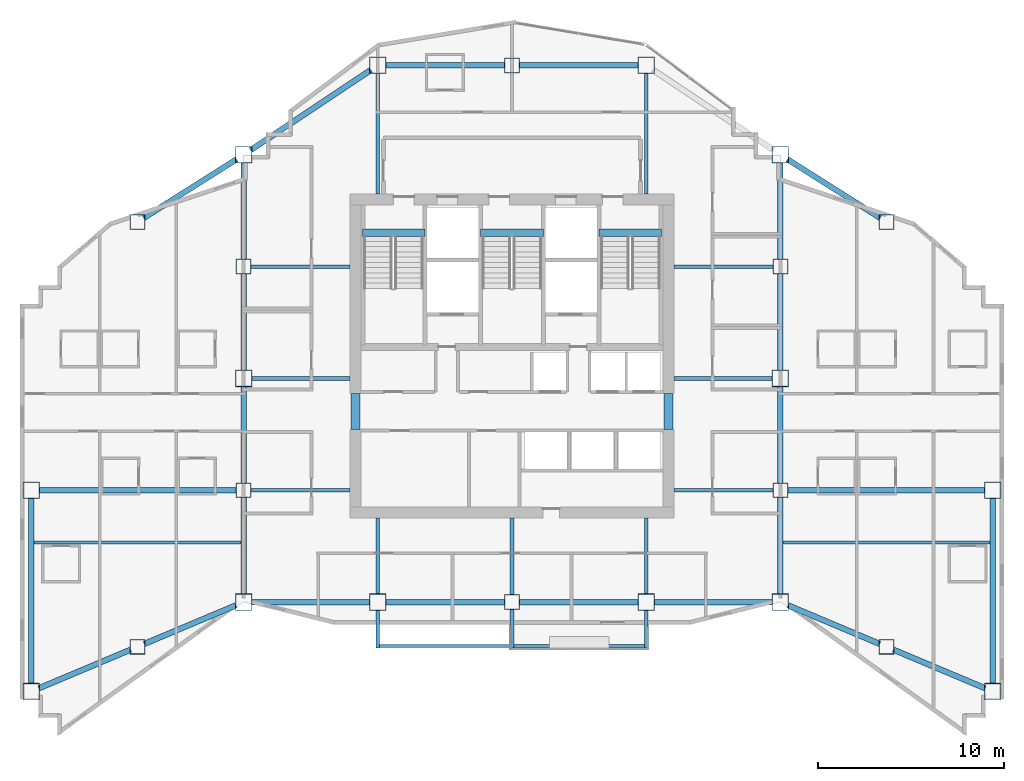
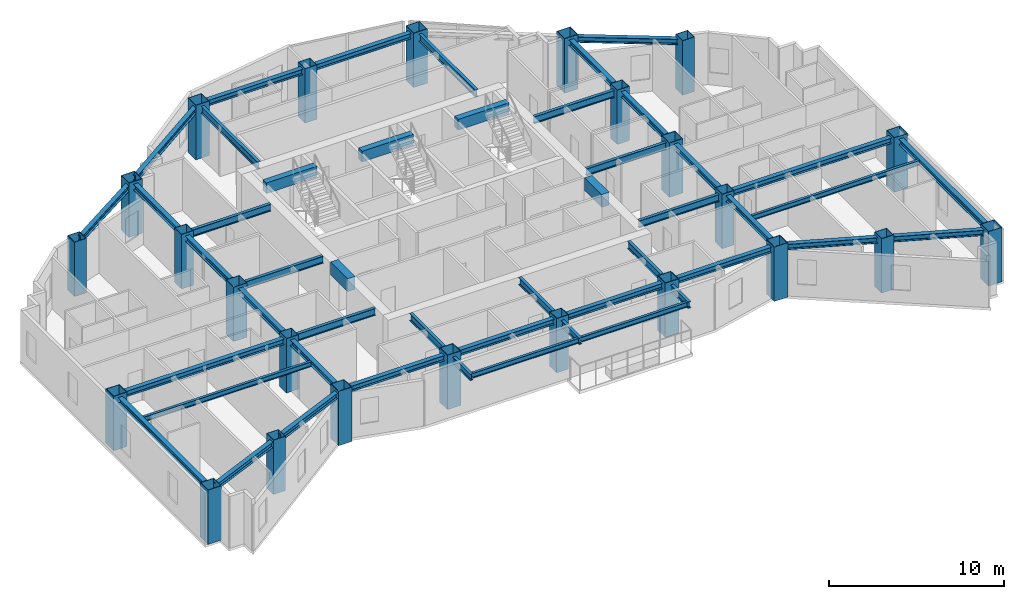
# One storey, part 1 of 11: 48 beams, 24 columns.
"""IFC4 building model written with IfcOpenShell, lengths in metres."""

import ifcopenshell
import ifcopenshell.guid

model = None  # the IFC model being written
_history = None  # IfcOwnerHistory: only IFC2X3 demands one
_inside = {}  # id of a spatial element -> (the spatial element, [elements in it])
_under = {}  # id of a project, library or spatial element -> (it, [spatial elements below it])
_declared = {}  # id of a project -> (the project, [libraries it declares])
_typed = {}  # id of a type object -> (the type object, [elements of that type])
_made_of = {}  # id of a material, layer set ... -> (it, [elements and type objects made of it])


def new_model(schema):
    """Start an empty IFC model of exactly this schema.

    Asked for "IFC4X3", IfcOpenShell would pick the latest addendum, in which some entities
    have other attributes; the version numbers below select the first issue.
    IFC2X3 requires an IfcOwnerHistory on every rooted entity: one is made here for all.
    """
    global model, _history
    if schema == "IFC4X3":
        model = ifcopenshell.file(schema_version=(4, 3, 0, 0))
    else:
        model = ifcopenshell.file(schema=schema)
    _inside.clear()
    _under.clear()
    _declared.clear()
    _typed.clear()
    _made_of.clear()
    _history = None
    if model.schema == "IFC2X3":
        org = make("IfcOrganization", Name="unknown")
        user = make(
            "IfcPersonAndOrganization",
            ThePerson=make("IfcPerson", FamilyName="unknown"),
            TheOrganization=org,
        )
        app = make(
            "IfcApplication",
            ApplicationDeveloper=org,
            Version="unknown",
            ApplicationFullName="unknown",
            ApplicationIdentifier="unknown",
        )
        _history = make(
            "IfcOwnerHistory",
            OwningUser=user,
            OwningApplication=app,
            ChangeAction="ADDED",
            CreationDate=0,
        )
    return model


def make(cls, **values):
    """One entity of the class cls with the attributes given. An attribute that is None is left unset."""
    return model.create_entity(
        cls, **{name: value for name, value in values.items() if value is not None}
    )


def rooted(cls, **values):
    """An entity with a GlobalId (a new one), such as an element, a storey or a relation."""
    return make(cls, GlobalId=ifcopenshell.guid.new(), OwnerHistory=_history, **values)


def si_unit(unit_type, name, prefix=None):
    """IfcSIUnit, for example si_unit("LENGTHUNIT", "METRE", prefix="MILLI")."""
    return make("IfcSIUnit", UnitType=unit_type, Prefix=prefix, Name=name)


def assignment(units):
    """IfcUnitAssignment: the units of a project."""
    return None if units is None else make("IfcUnitAssignment", Units=units)


def point(xyz):
    """IfcCartesianPoint."""
    return None if xyz is None else make("IfcCartesianPoint", Coordinates=xyz)


def direction(xyz):
    """IfcDirection."""
    return None if xyz is None else make("IfcDirection", DirectionRatios=xyz)


def frame(location, z_axis=None, x_axis=None):
    """IfcAxis2Placement3D, a coordinate frame: its origin and axes. An axis left out is left unset."""
    return make(
        "IfcAxis2Placement3D",
        Location=point(location),
        Axis=direction(z_axis),
        RefDirection=direction(x_axis),
    )


def frame_2d(location, x_axis=None):
    """IfcAxis2Placement2D, a coordinate frame in the plane: its origin and x axis."""
    return make(
        "IfcAxis2Placement2D", Location=point(location), RefDirection=direction(x_axis)
    )


def origin():
    """The frame at (0, 0, 0) with its axes left unset."""
    return frame((0.0, 0.0, 0.0))


def origin_2d():
    """The frame at (0, 0) in the plane with its x axis left unset."""
    return frame_2d((0.0, 0.0))


def place(relative_to, where):
    """IfcLocalPlacement: puts the frame where relative to a parent placement (None: the world)."""
    return make(
        "IfcLocalPlacement", PlacementRelTo=relative_to, RelativePlacement=where
    )


def context(
    kind, dimensions, precision=None, world=None, true_north=None, identifier=None
):
    """IfcGeometricRepresentationContext, for example the 3D "Model" context."""
    return make(
        "IfcGeometricRepresentationContext",
        ContextIdentifier=identifier,
        ContextType=kind,
        CoordinateSpaceDimension=dimensions,
        Precision=precision,
        WorldCoordinateSystem=world,
        TrueNorth=true_north,
    )


def subcontext(parent, identifier, kind, view, scale=None):
    """IfcGeometricRepresentationSubContext, for example "Body" below "Model"."""
    return make(
        "IfcGeometricRepresentationSubContext",
        ContextIdentifier=identifier,
        ContextType=kind,
        ParentContext=parent,
        TargetScale=scale,
        TargetView=view,
    )


def project(units=None, contexts=None):
    """IfcProject with its units and contexts."""
    return rooted(
        "IfcProject",
        Name="project",
        RepresentationContexts=contexts,
        UnitsInContext=assignment(units),
    )


def spatial(cls, under=None, at=None, **own):
    """A site, building, storey or space (cls), placed at a placement, below another one or the project."""
    s = rooted(cls, ObjectPlacement=at, **own)
    if under is not None:
        _under.setdefault(under.id(), (under, []))[1].append(s)
    return s


def profile(cls, at=None, kind="AREA", **sizes):
    """A parametric profile (cls). Its sizes go by their IFC names, for example OverallWidth=200.0."""
    return make(cls, ProfileType=kind, Position=at, **sizes)


def rectangle(**sizes):
    """IfcRectangleProfileDef."""
    return profile("IfcRectangleProfileDef", **sizes)


def hollow_rectangle(**sizes):
    """IfcRectangleHollowProfileDef."""
    return profile("IfcRectangleHollowProfileDef", **sizes)


def i_section(**sizes):
    """IfcIShapeProfileDef."""
    return profile("IfcIShapeProfileDef", **sizes)


def extrude(swept, where, along, depth):
    """IfcExtrudedAreaSolid: the profile swept, set in the frame where, extruded along a direction by depth."""
    return make(
        "IfcExtrudedAreaSolid",
        SweptArea=swept,
        Position=where,
        ExtrudedDirection=direction(along),
        Depth=depth,
    )


def shape(context_of_items, identifier, shape_type, items):
    """IfcShapeRepresentation: the items that make up one representation, for example the "Body"."""
    return make(
        "IfcShapeRepresentation",
        ContextOfItems=context_of_items,
        RepresentationIdentifier=identifier,
        RepresentationType=shape_type,
        Items=items,
    )


def material(Name=None, Category=None):
    """IfcMaterial."""
    return make("IfcMaterial", Name=Name, Category=Category)


def material_profile(
    of_material, cross_section, Name=None, Category=None, Priority=None
):
    """IfcMaterialProfile: a cross section and its material."""
    return make(
        "IfcMaterialProfile",
        Name=Name,
        Material=of_material,
        Profile=cross_section,
        Priority=Priority,
        Category=Category,
    )


def profile_set(profiles, Name=None, composite=None):
    """IfcMaterialProfileSet."""
    return make(
        "IfcMaterialProfileSet",
        Name=Name,
        MaterialProfiles=profiles,
        CompositeProfile=composite,
    )


def made_of(thing, what):
    """Note that an element or type object is made of a material, layer set ...; save() writes the relation."""
    if what is not None:
        _made_of.setdefault(what.id(), (what, []))[1].append(thing)
    return thing


def type_object(cls, material=None, **own):
    """A type object (cls), such as IfcWallType, which elements share."""
    return made_of(rooted(cls, **own), material)


def element(
    cls,
    number,
    at=None,
    inside=None,
    cuts=None,
    type_object=None,
    material=None,
    context=None,
    identifier="Body",
    shape_type=None,
    held_by="IfcProductDefinitionShape",
    body=None,
    shapes=None,
    **own,
):
    """One element of the class cls, such as IfcWall. Its Tag is "e" and its number.

    at: its placement. inside: the storey or other place that contains it. cuts: it is an
    opening in that element (IfcRelVoidsElement). A single representation is given by context,
    identifier, shape_type and body (its items); several are given by shapes. held_by: the class
    of the entity that holds the representations. save() writes the other relations.
    """
    e = rooted(cls, Tag="e%d" % number, ObjectPlacement=at, **own)
    if body is not None:
        shapes = [shape(context, identifier, shape_type, body)]
    if shapes is not None:
        e.Representation = make(held_by, Representations=shapes)
    if inside is not None:
        _inside.setdefault(inside.id(), (inside, []))[1].append(e)
    if cuts is not None:
        rooted(
            "IfcRelVoidsElement", RelatingBuildingElement=cuts, RelatedOpeningElement=e
        )
    if type_object is not None:
        _typed.setdefault(type_object.id(), (type_object, []))[1].append(e)
    return made_of(e, material)


def aggregate(whole, parts):
    """IfcRelAggregates: a whole, such as a stair, and the parts it consists of."""
    return rooted("IfcRelAggregates", RelatingObject=whole, RelatedObjects=parts)


def save(model, path):
    """Write the relations noted so far, then the file.

    IfcRelAggregates (storeys below a building ...), IfcRelContainedInSpatialStructure (elements
    in a storey), IfcRelDefinesByType, IfcRelAssociatesMaterial and IfcRelDeclares: one each for
    every whole, place, type object, material and project.
    """
    for whole, parts in _under.values():
        aggregate(whole, parts)
    for where, things in _inside.values():
        rooted(
            "IfcRelContainedInSpatialStructure",
            RelatedElements=things,
            RelatingStructure=where,
        )
    for kind, things in _typed.values():
        rooted("IfcRelDefinesByType", RelatedObjects=things, RelatingType=kind)
    for what, things in _made_of.values():
        rooted("IfcRelAssociatesMaterial", RelatedObjects=things, RelatingMaterial=what)
    for by, libraries in _declared.values():
        rooted("IfcRelDeclares", RelatingContext=by, RelatedDefinitions=libraries)
    model.write(path)


model = new_model("IFC4")

# Units and contexts
model_context = context("Model", 3, precision=1e-05, world=origin(), true_north=direction((0.0, 1.0)))
body_context = subcontext(model_context, "Body", "Model", "MODEL_VIEW")
ifc_project = project(units=[si_unit("LENGTHUNIT", "METRE"), si_unit("AREAUNIT", "SQUARE_METRE"), si_unit("VOLUMEUNIT", "CUBIC_METRE"), si_unit("PLANEANGLEUNIT", "RADIAN"), si_unit("MASSUNIT", "GRAM", prefix="KILO")], contexts=[model_context])

# Site, building, storey
site_placement = place(None, origin())
site = spatial("IfcSite", under=ifc_project, at=site_placement, CompositionType="ELEMENT")
building_placement = place(site_placement, origin())
building = spatial("IfcBuilding", under=site, at=building_placement, Name="Haolan Belvedere Tower", CompositionType="ELEMENT")
storey_placement = place(building_placement, frame((0.0, 0.0, 223.0)))
storey = spatial("IfcBuildingStorey", under=building, at=storey_placement, Name="L56", CompositionType="ELEMENT", Elevation=223.0)

# Columns
ifc_material_1 = material(Name="Steel Q390GJC", Category="steel")
ifc_material_profile_1 = material_profile(ifc_material_1, hollow_rectangle(XDim=0.800048828125, YDim=0.800048828125, WallThickness=0.030029296875, at=origin_2d()), Name="Steel Q390GJC")
ifc_profile_set_1 = profile_set([ifc_material_profile_1], Name="Steel Q390GJC")
column_type_1 = type_object("IfcColumnType", Name="COL-BOX800x800x30", PredefinedType="COLUMN", material=ifc_profile_set_1)
for number, where, z_axis, x_axis, name in (
    (1, (24.0, 27.60009765625, 0.0), (0.0, 0.0, 1.0), (1.0, 0.0, 0.0), "L56 column TC-T3-W1 (BOX800x800x30)"),
    (2, (24.0, 39.60009765625, 0.0), (0.0, 0.0, 1.0), (1.0, 0.0, 0.0), "L56 column TC-T3-W2 (BOX800x800x30)"),
    (3, (52.800048828125, 27.60009765625, 0.0), (0.0, 0.0, 1.0), (1.0, 0.0, 0.0), "L56 column TC-T3-E1 (BOX800x800x30)"),
    (4, (52.800048828125, 39.60009765625, 0.0), (0.0, 0.0, 1.0), (1.0, 0.0, 0.0), "L56 column TC-T3-E2 (BOX800x800x30)"),
    (5, (38.39990234375, 21.60009765625, 0.0), (0.0, 0.0, 1.0), (1.0, 0.0, 0.0), "L56 column TC-T3-SM (BOX800x800x30)"),
    (6, (38.39990234375, 50.39990234375, 0.0), (0.0, 0.0, 1.0), (1.0, 0.0, 0.0), "L56 column TC-T3-NM (BOX800x800x30)"),
    (7, (18.300048828125, 19.199951171875, 0.0), (0.0, 0.0, 1.0), (1.0, 0.0, 0.0), "L56 column TC-T2-S1 (BOX800x800x30)"),
    (8, (18.300048828125, 42.0, 0.0), (0.0, 0.0, 1.0), (1.0, 0.0, 0.0), "L56 column TC-T2-N1 (BOX800x800x30)"),
    (9, (58.5, 19.199951171875, 0.0), (0.0, 0.0, 1.0), (1.0, 0.0, 0.0), "L56 column TC-T4-S1 (BOX800x800x30)"),
    (10, (58.5, 42.0, 0.0), (0.0, 0.0, 1.0), (1.0, 0.0, 0.0), "L56 column TC-T4-N1 (BOX800x800x30)"),
):
    element("IfcColumn", number, at=place(storey_placement, frame(where, z_axis=z_axis, x_axis=x_axis)), inside=storey, type_object=column_type_1, Name=name, PredefinedType="COLUMN", context=body_context, shape_type="SweptSolid", body=[
        extrude(hollow_rectangle(XDim=0.800048828125, YDim=0.800048828125, WallThickness=0.030029296875, at=origin_2d()), origin(), (0.0, 0.0, 1.0), 3.800048828125),
    ])
ifc_material_profile_2 = material_profile(ifc_material_1, hollow_rectangle(XDim=0.89990234375, YDim=0.89990234375, WallThickness=0.033935546875, at=origin_2d()), Name="Steel Q390GJC")
ifc_profile_set_2 = profile_set([ifc_material_profile_2], Name="Steel Q390GJC")
column_type_2 = type_object("IfcColumnType", Name="COL-BOX900x900x34", PredefinedType="COLUMN", material=ifc_profile_set_2)
for number, where, z_axis, x_axis, name in (
    (11, (24.0, 21.60009765625, 0.0), (0.0, 0.0, 1.0), (1.0, 0.0, 0.0), "L56 column MC-T3-SW (BOX900x900x34)"),
    (12, (24.0, 33.60009765625, 0.0), (0.0, 0.0, 1.0), (1.0, 0.0, 0.0), "L56 column MC-T3-MW (BOX900x900x34)"),
    (13, (24.0, 45.60009765625, 0.0), (0.0, 0.0, 1.0), (1.0, 0.0, 0.0), "L56 column MC-T3-NW (BOX900x900x34)"),
    (14, (52.800048828125, 21.60009765625, 0.0), (0.0, 0.0, 1.0), (1.0, 0.0, 0.0), "L56 column MC-T3-SE (BOX900x900x34)"),
    (15, (52.800048828125, 33.60009765625, 0.0), (0.0, 0.0, 1.0), (1.0, 0.0, 0.0), "L56 column MC-T3-ME (BOX900x900x34)"),
    (16, (52.800048828125, 45.60009765625, 0.0), (0.0, 0.0, 1.0), (1.0, 0.0, 0.0), "L56 column MC-T3-NE (BOX900x900x34)"),
    (17, (31.199951171875, 21.60009765625, 0.0), (0.0, 0.0, 1.0), (1.0, 0.0, 0.0), "L56 column MC-T3-S1 (BOX900x900x34)"),
    (18, (45.60009765625, 21.60009765625, 0.0), (0.0, 0.0, 1.0), (1.0, 0.0, 0.0), "L56 column MC-T3-S2 (BOX900x900x34)"),
    (19, (31.199951171875, 50.39990234375, 0.0), (0.0, 0.0, 1.0), (1.0, 0.0, 0.0), "L56 column MC-T3-N1 (BOX900x900x34)"),
    (20, (45.60009765625, 50.39990234375, 0.0), (0.0, 0.0, 1.0), (1.0, 0.0, 0.0), "L56 column MC-T3-N2 (BOX900x900x34)"),
    (21, (12.60009765625, 16.800048828125, 0.0), (0.0, 0.0, 1.0), (1.0, 0.0, 0.0), "L56 column MC-T2-SW (BOX900x900x34)"),
    (22, (12.60009765625, 27.60009765625, 0.0), (0.0, 0.0, 1.0), (1.0, 0.0, 0.0), "L56 column MC-T2-MW (BOX900x900x34)"),
    (23, (64.199951171875, 16.800048828125, 0.0), (0.0, 0.0, 1.0), (1.0, 0.0, 0.0), "L56 column MC-T4-SE (BOX900x900x34)"),
    (24, (64.199951171875, 27.60009765625, 0.0), (0.0, 0.0, 1.0), (1.0, 0.0, 0.0), "L56 column MC-T4-ME (BOX900x900x34)"),
):
    element("IfcColumn", number, at=place(storey_placement, frame(where, z_axis=z_axis, x_axis=x_axis)), inside=storey, type_object=column_type_2, Name=name, PredefinedType="COLUMN", context=body_context, shape_type="SweptSolid", body=[
        extrude(hollow_rectangle(XDim=0.89990234375, YDim=0.89990234375, WallThickness=0.033935546875, at=origin_2d()), origin(), (0.0, 0.0, 1.0), 3.800048828125),
    ])

# Beams
ifc_material_2 = material(Name="Steel Q355B", Category="steel")
ifc_material_profile_3 = material_profile(ifc_material_2, i_section(OverallWidth=0.300048828125, OverallDepth=0.389892578125, WebThickness=0.010009765625, FlangeThickness=0.01611328125, FilletRadius=0.02197265625, at=origin_2d()), Name="Steel Q355B")
ifc_profile_set_3 = profile_set([ifc_material_profile_3], Name="Steel Q355B")
beam_type_1 = type_object("IfcBeamType", Name="BM-HM390x300x10x16", PredefinedType="SPANDREL", material=ifc_profile_set_3)
for number, where, z_axis, x_axis, name in (
    (25, (24.0, 22.050048828125, 3.425048828125), (0.0, 1.0, 0.0), (-1.0, 0.0, 0.0), "L56 spandrel girder MC-T3-SW-TC-T3-W1"),
    (26, (24.0, 28.0, 3.425048828125), (0.0, 1.0, 0.0), (-1.0, 0.0, 0.0), "L56 spandrel girder TC-T3-W1-MC-T3-MW"),
    (27, (24.0, 34.050048828125, 3.425048828125), (0.0, 1.0, 0.0), (-1.0, 0.0, 0.0), "L56 spandrel girder MC-T3-MW-TC-T3-W2"),
    (28, (24.0, 40.0, 3.425048828125), (0.0, 1.0, 0.0), (-1.0, 0.0, 0.0), "L56 spandrel girder TC-T3-W2-MC-T3-NW"),
    (29, (52.800048828125, 22.050048828125, 3.425048828125), (0.0, 1.0, 0.0), (-1.0, 0.0, 0.0), "L56 spandrel girder MC-T3-SE-TC-T3-E1"),
    (30, (52.800048828125, 28.0, 3.425048828125), (0.0, 1.0, 0.0), (-1.0, 0.0, 0.0), "L56 spandrel girder TC-T3-E1-MC-T3-ME"),
    (31, (52.800048828125, 34.050048828125, 3.425048828125), (0.0, 1.0, 0.0), (-1.0, 0.0, 0.0), "L56 spandrel girder MC-T3-ME-TC-T3-E2"),
    (32, (52.800048828125, 40.0, 3.425048828125), (0.0, 1.0, 0.0), (-1.0, 0.0, 0.0), "L56 spandrel girder TC-T3-E2-MC-T3-NE"),
):
    element("IfcBeam", number, at=place(storey_placement, frame(where, z_axis=z_axis, x_axis=x_axis)), inside=storey, type_object=beam_type_1, Name=name, PredefinedType="SPANDREL", context=body_context, shape_type="SweptSolid", body=[
        extrude(i_section(OverallWidth=0.300048828125, OverallDepth=0.389892578125, WebThickness=0.010009765625, FlangeThickness=0.01611328125, FilletRadius=0.02197265625, at=origin_2d()), origin(), (0.0, 0.0, 1.0), 5.14990234375),
    ])
beam_1_placement = place(storey_placement, frame((24.449951171875, 21.60009765625, 3.425048828125), z_axis=(1.0, 0.0, 0.0), x_axis=(0.0, 1.0, 0.0)))
element("IfcBeam", 33, at=beam_1_placement, inside=storey, type_object=beam_type_1, Name="L56 spandrel girder MC-T3-SW-MC-T3-S1", PredefinedType="SPANDREL", context=body_context, shape_type="SweptSolid", body=[
    extrude(i_section(OverallWidth=0.300048828125, OverallDepth=0.389892578125, WebThickness=0.010009765625, FlangeThickness=0.01611328125, FilletRadius=0.02197265625, at=origin_2d()), origin(), (0.0, 0.0, 1.0), 6.300048828125),
])
beam_2_placement = place(storey_placement, frame((31.64990234375, 21.60009765625, 3.425048828125), z_axis=(1.0, 0.0, 0.0), x_axis=(0.0, 1.0, 0.0)))
element("IfcBeam", 34, at=beam_2_placement, inside=storey, type_object=beam_type_1, Name="L56 spandrel girder MC-T3-S1-TC-T3-SM", PredefinedType="SPANDREL", context=body_context, shape_type="SweptSolid", body=[
    extrude(i_section(OverallWidth=0.300048828125, OverallDepth=0.389892578125, WebThickness=0.010009765625, FlangeThickness=0.01611328125, FilletRadius=0.02197265625, at=origin_2d()), origin(), (0.0, 0.0, 1.0), 6.35009765625),
])
beam_3_placement = place(storey_placement, frame((38.800048828125, 21.60009765625, 3.425048828125), z_axis=(1.0, 0.0, 0.0), x_axis=(0.0, 1.0, 0.0)))
element("IfcBeam", 35, at=beam_3_placement, inside=storey, type_object=beam_type_1, Name="L56 spandrel girder TC-T3-SM-MC-T3-S2", PredefinedType="SPANDREL", context=body_context, shape_type="SweptSolid", body=[
    extrude(i_section(OverallWidth=0.300048828125, OverallDepth=0.389892578125, WebThickness=0.010009765625, FlangeThickness=0.01611328125, FilletRadius=0.02197265625, at=origin_2d()), origin(), (0.0, 0.0, 1.0), 6.349853515625),
])
beam_4_placement = place(storey_placement, frame((46.050048828125, 21.60009765625, 3.425048828125), z_axis=(1.0, 0.0, 0.0), x_axis=(0.0, 1.0, 0.0)))
element("IfcBeam", 36, at=beam_4_placement, inside=storey, type_object=beam_type_1, Name="L56 spandrel girder MC-T3-S2-MC-T3-SE", PredefinedType="SPANDREL", context=body_context, shape_type="SweptSolid", body=[
    extrude(i_section(OverallWidth=0.300048828125, OverallDepth=0.389892578125, WebThickness=0.010009765625, FlangeThickness=0.01611328125, FilletRadius=0.02197265625, at=origin_2d()), origin(), (0.0, 0.0, 1.0), 6.300048828125),
])
beam_5_placement = place(storey_placement, frame((24.37451171875, 45.849609375, 3.425048828125), z_axis=(0.832050294338, 0.554700196225, 0.0), x_axis=(-0.554700196225, 0.832050294338, 0.0)))
element("IfcBeam", 37, at=beam_5_placement, inside=storey, type_object=beam_type_1, Name="L56 spandrel girder MC-T3-NW-MC-T3-N1", PredefinedType="SPANDREL", context=body_context, shape_type="SweptSolid", body=[
    extrude(i_section(OverallWidth=0.300048828125, OverallDepth=0.389892578125, WebThickness=0.010009765625, FlangeThickness=0.01611328125, FilletRadius=0.02197265625, at=origin_2d()), origin(), (0.0, 0.0, 1.0), 7.75341796875),
])
beam_6_placement = place(storey_placement, frame((31.64990234375, 50.39990234375, 3.425048828125), z_axis=(1.0, 0.0, 0.0), x_axis=(0.0, 1.0, 0.0)))
element("IfcBeam", 38, at=beam_6_placement, inside=storey, type_object=beam_type_1, Name="L56 spandrel girder MC-T3-N1-TC-T3-NM", PredefinedType="SPANDREL", context=body_context, shape_type="SweptSolid", body=[
    extrude(i_section(OverallWidth=0.300048828125, OverallDepth=0.389892578125, WebThickness=0.010009765625, FlangeThickness=0.01611328125, FilletRadius=0.02197265625, at=origin_2d()), origin(), (0.0, 0.0, 1.0), 6.35009765625),
])
beam_7_placement = place(storey_placement, frame((38.800048828125, 50.39990234375, 3.425048828125), z_axis=(1.0, 0.0, 0.0), x_axis=(0.0, 1.0, 0.0)))
element("IfcBeam", 39, at=beam_7_placement, inside=storey, type_object=beam_type_1, Name="L56 spandrel girder TC-T3-NM-MC-T3-N2", PredefinedType="SPANDREL", context=body_context, shape_type="SweptSolid", body=[
    extrude(i_section(OverallWidth=0.300048828125, OverallDepth=0.389892578125, WebThickness=0.010009765625, FlangeThickness=0.01611328125, FilletRadius=0.02197265625, at=origin_2d()), origin(), (0.0, 0.0, 1.0), 6.349853515625),
])
beam_8_placement = place(storey_placement, frame((12.60009765625, 17.25, 3.425048828125), z_axis=(0.0, 1.0, 0.0), x_axis=(-1.0, 0.0, 0.0)))
element("IfcBeam", 40, at=beam_8_placement, inside=storey, type_object=beam_type_1, Name="L56 spandrel girder MC-T2-SW-MC-T2-MW", PredefinedType="SPANDREL", context=body_context, shape_type="SweptSolid", body=[
    extrude(i_section(OverallWidth=0.300048828125, OverallDepth=0.389892578125, WebThickness=0.010009765625, FlangeThickness=0.01611328125, FilletRadius=0.02197265625, at=origin_2d()), origin(), (0.0, 0.0, 1.0), 9.89990234375),
])
beam_9_placement = place(storey_placement, frame((13.0146484375, 16.974609375, 3.425048828125), z_axis=(0.921644850741, 0.388034494733, 0.0), x_axis=(-0.388034494733, 0.921644850741, 0.0)))
element("IfcBeam", 41, at=beam_9_placement, inside=storey, type_object=beam_type_1, Name="L56 spandrel girder MC-T2-SW-TC-T2-S1", PredefinedType="SPANDREL", context=body_context, shape_type="SweptSolid", body=[
    extrude(i_section(OverallWidth=0.300048828125, OverallDepth=0.389892578125, WebThickness=0.010009765625, FlangeThickness=0.01611328125, FilletRadius=0.02197265625, at=origin_2d()), origin(), (0.0, 0.0, 1.0), 5.334716796875),
])
beam_10_placement = place(storey_placement, frame((18.668701171875, 19.355224609375, 3.425048828125), z_axis=(0.921637959557, 0.388050862006, 0.0), x_axis=(-0.388050862006, 0.921637959557, 0.0)))
element("IfcBeam", 42, at=beam_10_placement, inside=storey, type_object=beam_type_1, Name="L56 spandrel girder TC-T2-S1-MC-T3-SW", PredefinedType="SPANDREL", context=body_context, shape_type="SweptSolid", body=[
    extrude(i_section(OverallWidth=0.300048828125, OverallDepth=0.389892578125, WebThickness=0.010009765625, FlangeThickness=0.01611328125, FilletRadius=0.02197265625, at=origin_2d()), origin(), (0.0, 0.0, 1.0), 5.33447265625),
])
beam_11_placement = place(storey_placement, frame((18.63818359375, 42.213623046875, 3.425048828125), z_axis=(0.845502688092, 0.533971164417, 0.0), x_axis=(-0.533971164417, 0.845502688092, 0.0)))
element("IfcBeam", 43, at=beam_11_placement, inside=storey, type_object=beam_type_1, Name="L56 spandrel girder TC-T2-N1-MC-T3-NW", PredefinedType="SPANDREL", context=body_context, shape_type="SweptSolid", body=[
    extrude(i_section(OverallWidth=0.300048828125, OverallDepth=0.389892578125, WebThickness=0.010009765625, FlangeThickness=0.01611328125, FilletRadius=0.02197265625, at=origin_2d()), origin(), (0.0, 0.0, 1.0), 5.8916015625),
])
beam_12_placement = place(storey_placement, frame((13.050048828125, 27.60009765625, 3.425048828125), z_axis=(1.0, 0.0, 0.0), x_axis=(0.0, 1.0, 0.0)))
element("IfcBeam", 44, at=beam_12_placement, inside=storey, type_object=beam_type_1, Name="L56 spandrel girder MC-T2-MW-TC-T3-W1", PredefinedType="SPANDREL", context=body_context, shape_type="SweptSolid", body=[
    extrude(i_section(OverallWidth=0.300048828125, OverallDepth=0.389892578125, WebThickness=0.010009765625, FlangeThickness=0.01611328125, FilletRadius=0.02197265625, at=origin_2d()), origin(), (0.0, 0.0, 1.0), 10.550048828125),
])
beam_13_placement = place(storey_placement, frame((64.199951171875, 17.25, 3.425048828125), z_axis=(0.0, 1.0, 0.0), x_axis=(-1.0, 0.0, 0.0)))
element("IfcBeam", 45, at=beam_13_placement, inside=storey, type_object=beam_type_1, Name="L56 spandrel girder MC-T4-SE-MC-T4-ME", PredefinedType="SPANDREL", context=body_context, shape_type="SweptSolid", body=[
    extrude(i_section(OverallWidth=0.300048828125, OverallDepth=0.389892578125, WebThickness=0.010009765625, FlangeThickness=0.01611328125, FilletRadius=0.02197265625, at=origin_2d()), origin(), (0.0, 0.0, 1.0), 9.89990234375),
])
for number, where, z_axis, x_axis, name in (
    (46, (53.21484375, 21.42529296875, 3.425048828125), (0.921637959557, -0.388050862006, 0.0), (0.388050862006, 0.921637959557, 0.0), "L56 spandrel girder MC-T3-SE-TC-T4-S1"),
    (47, (58.86865234375, 19.044677734375, 3.425048828125), (0.921637959557, -0.388050862006, 0.0), (0.388050862006, 0.921637959557, 0.0), "L56 spandrel girder TC-T4-S1-MC-T4-SE"),
):
    element("IfcBeam", number, at=place(storey_placement, frame(where, z_axis=z_axis, x_axis=x_axis)), inside=storey, type_object=beam_type_1, Name=name, PredefinedType="SPANDREL", context=body_context, shape_type="SweptSolid", body=[
        extrude(i_section(OverallWidth=0.300048828125, OverallDepth=0.389892578125, WebThickness=0.010009765625, FlangeThickness=0.01611328125, FilletRadius=0.02197265625, at=origin_2d()), origin(), (0.0, 0.0, 1.0), 5.33447265625),
    ])
beam_14_placement = place(storey_placement, frame((53.180419921875, 45.359619140625, 3.425048828125), z_axis=(0.845502688092, -0.533971164417, 0.0), x_axis=(0.533971164417, 0.845502688092, 0.0)))
element("IfcBeam", 48, at=beam_14_placement, inside=storey, type_object=beam_type_1, Name="L56 spandrel girder MC-T3-NE-TC-T4-N1", PredefinedType="SPANDREL", context=body_context, shape_type="SweptSolid", body=[
    extrude(i_section(OverallWidth=0.300048828125, OverallDepth=0.389892578125, WebThickness=0.010009765625, FlangeThickness=0.01611328125, FilletRadius=0.02197265625, at=origin_2d()), origin(), (0.0, 0.0, 1.0), 5.8916015625),
])
beam_15_placement = place(storey_placement, frame((53.199951171875, 27.60009765625, 3.425048828125), z_axis=(1.0, 0.0, 0.0), x_axis=(0.0, 1.0, 0.0)))
element("IfcBeam", 49, at=beam_15_placement, inside=storey, type_object=beam_type_1, Name="L56 spandrel girder TC-T3-E1-MC-T4-ME", PredefinedType="SPANDREL", context=body_context, shape_type="SweptSolid", body=[
    extrude(i_section(OverallWidth=0.300048828125, OverallDepth=0.389892578125, WebThickness=0.010009765625, FlangeThickness=0.01611328125, FilletRadius=0.02197265625, at=origin_2d()), origin(), (0.0, 0.0, 1.0), 10.550048828125),
])
ifc_material_profile_4 = material_profile(ifc_material_2, i_section(OverallWidth=0.175048828125, OverallDepth=0.35009765625, WebThickness=0.007080078125, FlangeThickness=0.010986328125, FilletRadius=0.012939453125, at=origin_2d()), Name="Steel Q355B")
ifc_profile_set_4 = profile_set([ifc_material_profile_4], Name="Steel Q355B")
beam_type_2 = type_object("IfcBeamType", Name="BM-HN350x175x7x11", PredefinedType="JOIST", material=ifc_profile_set_4)
for number, where, z_axis, x_axis, name in (
    (50, (12.75, 24.800048828125, 3.445068359375), (1.0, 0.0, 0.0), (0.0, 1.0, 0.0), "L56 west wing floor joist 1"),
    (51, (52.949951171875, 24.800048828125, 3.445068359375), (1.0, 0.0, 0.0), (0.0, 1.0, 0.0), "L56 east wing floor joist 1"),
):
    element("IfcBeam", number, at=place(storey_placement, frame(where, z_axis=z_axis, x_axis=x_axis)), inside=storey, type_object=beam_type_2, Name=name, PredefinedType="JOIST", context=body_context, shape_type="SweptSolid", body=[
        extrude(i_section(OverallWidth=0.175048828125, OverallDepth=0.35009765625, WebThickness=0.007080078125, FlangeThickness=0.010986328125, FilletRadius=0.012939453125, at=origin_2d()), origin(), (0.0, 0.0, 1.0), 11.10009765625),
    ])
for number, where, z_axis, x_axis, name in (
    (52, (31.300048828125, 19.239990234375, 3.39501953125), (1.0, 0.0, 0.0), (0.0, 1.0, 0.0), "L57 tree-balcony front trimmer beam 1"),
    (53, (38.5, 19.239990234375, 3.39501953125), (1.0, 0.0, 0.0), (0.0, 1.0, 0.0), "L57 tree-balcony front trimmer beam 2"),
):
    element("IfcBeam", number, at=place(storey_placement, frame(where, z_axis=z_axis, x_axis=x_axis)), inside=storey, type_object=beam_type_2, Name=name, PredefinedType="BEAM", context=body_context, shape_type="SweptSolid", body=[
        extrude(i_section(OverallWidth=0.175048828125, OverallDepth=0.35009765625, WebThickness=0.007080078125, FlangeThickness=0.010986328125, FilletRadius=0.012939453125, at=origin_2d()), origin(), (0.0, 0.0, 1.0), 7.0),
    ])
ifc_material_profile_5 = material_profile(ifc_material_2, i_section(OverallWidth=0.199951171875, OverallDepth=0.449951171875, WebThickness=0.009033203125, FlangeThickness=0.013916015625, FilletRadius=0.01611328125, at=origin_2d()), Name="Steel Q355B")
ifc_profile_set_5 = profile_set([ifc_material_profile_5], Name="Steel Q355B")
beam_type_3 = type_object("IfcBeamType", Name="BM-HN450x200x9x14", PredefinedType="BEAM", material=ifc_profile_set_5)
beam_16_placement = place(storey_placement, frame((31.199951171875, 21.14990234375, 3.344970703125), z_axis=(0.0, -1.0, 0.0), x_axis=(1.0, 0.0, 0.0)))
element("IfcBeam", 54, at=beam_16_placement, inside=storey, type_object=beam_type_3, Name="L57 tree-balcony column cantilever MC-T3-S1", PredefinedType="BEAM", context=body_context, shape_type="SweptSolid", body=[
    extrude(i_section(OverallWidth=0.199951171875, OverallDepth=0.449951171875, WebThickness=0.009033203125, FlangeThickness=0.013916015625, FilletRadius=0.01611328125, at=origin_2d()), origin(), (0.0, 0.0, 1.0), 2.010009765625),
])
beam_17_placement = place(storey_placement, frame((38.39990234375, 21.199951171875, 3.344970703125), z_axis=(0.0, -1.0, 0.0), x_axis=(1.0, 0.0, 0.0)))
element("IfcBeam", 55, at=beam_17_placement, inside=storey, type_object=beam_type_3, Name="L57 tree-balcony column cantilever TC-T3-SM", PredefinedType="BEAM", context=body_context, shape_type="SweptSolid", body=[
    extrude(i_section(OverallWidth=0.199951171875, OverallDepth=0.449951171875, WebThickness=0.009033203125, FlangeThickness=0.013916015625, FilletRadius=0.01611328125, at=origin_2d()), origin(), (0.0, 0.0, 1.0), 2.06005859375),
])
beam_18_placement = place(storey_placement, frame((45.60009765625, 21.14990234375, 3.344970703125), z_axis=(0.0, -1.0, 0.0), x_axis=(1.0, 0.0, 0.0)))
element("IfcBeam", 56, at=beam_18_placement, inside=storey, type_object=beam_type_3, Name="L57 tree-balcony column cantilever MC-T3-S2", PredefinedType="BEAM", context=body_context, shape_type="SweptSolid", body=[
    extrude(i_section(OverallWidth=0.199951171875, OverallDepth=0.449951171875, WebThickness=0.009033203125, FlangeThickness=0.013916015625, FilletRadius=0.01611328125, at=origin_2d()), origin(), (0.0, 0.0, 1.0), 2.010009765625),
])
ifc_material_profile_6 = material_profile(ifc_material_2, i_section(OverallWidth=0.199951171875, OverallDepth=0.5, WebThickness=0.010009765625, FlangeThickness=0.01611328125, FilletRadius=0.02001953125, at=origin_2d()), Name="Steel Q355B")
ifc_profile_set_6 = profile_set([ifc_material_profile_6], Name="Steel Q355B")
beam_type_4 = type_object("IfcBeamType", Name="BM-HN500x200x10x16", PredefinedType="BEAM", material=ifc_profile_set_6)
beam_19_placement = place(storey_placement, frame((24.449951171875, 33.60009765625, 3.3701171875), z_axis=(1.0, 0.0, 0.0), x_axis=(0.0, 1.0, 0.0)))
element("IfcBeam", 57, at=beam_19_placement, inside=storey, type_object=beam_type_4, Name="L56 core tie beam from MC-T3-MW", PredefinedType="BEAM", context=body_context, shape_type="SweptSolid", body=[
    extrude(i_section(OverallWidth=0.199951171875, OverallDepth=0.5, WebThickness=0.010009765625, FlangeThickness=0.01611328125, FilletRadius=0.02001953125, at=origin_2d()), origin(), (0.0, 0.0, 1.0), 5.25),
])
for number, where, z_axis, x_axis, name in (
    (58, (24.39990234375, 27.60009765625, 3.3701171875), (1.0, 0.0, 0.0), (0.0, 1.0, 0.0), "L56 core tie beam from TC-T3-W1"),
    (59, (24.39990234375, 39.60009765625, 3.3701171875), (1.0, 0.0, 0.0), (0.0, 1.0, 0.0), "L56 core tie beam from TC-T3-W2"),
):
    element("IfcBeam", number, at=place(storey_placement, frame(where, z_axis=z_axis, x_axis=x_axis)), inside=storey, type_object=beam_type_4, Name=name, PredefinedType="BEAM", context=body_context, shape_type="SweptSolid", body=[
        extrude(i_section(OverallWidth=0.199951171875, OverallDepth=0.5, WebThickness=0.010009765625, FlangeThickness=0.01611328125, FilletRadius=0.02001953125, at=origin_2d()), origin(), (0.0, 0.0, 1.0), 5.300048828125),
    ])
beam_20_placement = place(storey_placement, frame((52.35009765625, 33.60009765625, 3.3701171875), z_axis=(-1.0, 0.0, 0.0), x_axis=(0.0, -1.0, 0.0)))
element("IfcBeam", 60, at=beam_20_placement, inside=storey, type_object=beam_type_4, Name="L56 core tie beam from MC-T3-ME", PredefinedType="BEAM", context=body_context, shape_type="SweptSolid", body=[
    extrude(i_section(OverallWidth=0.199951171875, OverallDepth=0.5, WebThickness=0.010009765625, FlangeThickness=0.01611328125, FilletRadius=0.02001953125, at=origin_2d()), origin(), (0.0, 0.0, 1.0), 5.25),
])
for number, where, z_axis, x_axis, name in (
    (61, (52.39990234375, 27.60009765625, 3.3701171875), (-1.0, 0.0, 0.0), (0.0, -1.0, 0.0), "L56 core tie beam from TC-T3-E1"),
    (62, (52.39990234375, 39.60009765625, 3.3701171875), (-1.0, 0.0, 0.0), (0.0, -1.0, 0.0), "L56 core tie beam from TC-T3-E2"),
):
    element("IfcBeam", number, at=place(storey_placement, frame(where, z_axis=z_axis, x_axis=x_axis)), inside=storey, type_object=beam_type_4, Name=name, PredefinedType="BEAM", context=body_context, shape_type="SweptSolid", body=[
        extrude(i_section(OverallWidth=0.199951171875, OverallDepth=0.5, WebThickness=0.010009765625, FlangeThickness=0.01611328125, FilletRadius=0.02001953125, at=origin_2d()), origin(), (0.0, 0.0, 1.0), 5.2998046875),
    ])
beam_21_placement = place(storey_placement, frame((31.199951171875, 22.050048828125, 3.3701171875), z_axis=(0.0, 1.0, 0.0), x_axis=(-1.0, 0.0, 0.0)))
element("IfcBeam", 63, at=beam_21_placement, inside=storey, type_object=beam_type_4, Name="L56 core tie beam from MC-T3-S1", PredefinedType="BEAM", context=body_context, shape_type="SweptSolid", body=[
    extrude(i_section(OverallWidth=0.199951171875, OverallDepth=0.5, WebThickness=0.010009765625, FlangeThickness=0.01611328125, FilletRadius=0.02001953125, at=origin_2d()), origin(), (0.0, 0.0, 1.0), 4.050048828125),
])
beam_22_placement = place(storey_placement, frame((38.39990234375, 22.0, 3.3701171875), z_axis=(0.0, 1.0, 0.0), x_axis=(-1.0, 0.0, 0.0)))
element("IfcBeam", 64, at=beam_22_placement, inside=storey, type_object=beam_type_4, Name="L56 core tie beam from TC-T3-SM", PredefinedType="BEAM", context=body_context, shape_type="SweptSolid", body=[
    extrude(i_section(OverallWidth=0.199951171875, OverallDepth=0.5, WebThickness=0.010009765625, FlangeThickness=0.01611328125, FilletRadius=0.02001953125, at=origin_2d()), origin(), (0.0, 0.0, 1.0), 4.10009765625),
])
beam_23_placement = place(storey_placement, frame((45.60009765625, 22.050048828125, 3.3701171875), z_axis=(0.0, 1.0, 0.0), x_axis=(-1.0, 0.0, 0.0)))
element("IfcBeam", 65, at=beam_23_placement, inside=storey, type_object=beam_type_4, Name="L56 core tie beam from MC-T3-S2", PredefinedType="BEAM", context=body_context, shape_type="SweptSolid", body=[
    extrude(i_section(OverallWidth=0.199951171875, OverallDepth=0.5, WebThickness=0.010009765625, FlangeThickness=0.01611328125, FilletRadius=0.02001953125, at=origin_2d()), origin(), (0.0, 0.0, 1.0), 4.050048828125),
])
for number, where, z_axis, x_axis, name in (
    (66, (31.199951171875, 49.949951171875, 3.3701171875), (0.0, -1.0, 0.0), (1.0, 0.0, 0.0), "L56 core tie beam from MC-T3-N1"),
    (67, (45.60009765625, 49.949951171875, 3.3701171875), (0.0, -1.0, 0.0), (1.0, 0.0, 0.0), "L56 core tie beam from MC-T3-N2"),
):
    element("IfcBeam", number, at=place(storey_placement, frame(where, z_axis=z_axis, x_axis=x_axis)), inside=storey, type_object=beam_type_4, Name=name, PredefinedType="BEAM", context=body_context, shape_type="SweptSolid", body=[
        extrude(i_section(OverallWidth=0.199951171875, OverallDepth=0.5, WebThickness=0.010009765625, FlangeThickness=0.01611328125, FilletRadius=0.02001953125, at=origin_2d()), origin(), (0.0, 0.0, 1.0), 6.449951171875),
    ])
ifc_material_3 = material(Name="Concrete C50/60", Category="concrete")
ifc_material_profile_7 = material_profile(ifc_material_3, rectangle(XDim=0.39990234375, YDim=0.75, at=origin_2d()), Name="Concrete C50/60")
ifc_profile_set_7 = profile_set([ifc_material_profile_7], Name="Concrete C50/60")
beam_type_5 = type_object("IfcBeamType", Name="BM-RC400x750", PredefinedType="T_BEAM", material=ifc_profile_set_7)
beam_24_placement = place(storey_placement, frame((30.3798828125, 41.429931640625, 3.425048828125), z_axis=(1.0, 0.0, 0.0), x_axis=(0.0, 1.0, 0.0)))
element("IfcBeam", 68, at=beam_24_placement, inside=storey, type_object=beam_type_5, Name="L57 stair ST1 RC header trimmer beam", PredefinedType="BEAM", context=body_context, shape_type="SweptSolid", body=[
    extrude(rectangle(XDim=0.39990234375, YDim=0.75, at=origin_2d()), origin(), (0.0, 0.0, 1.0), 3.360107421875),
])
beam_25_placement = place(storey_placement, frame((36.699951171875, 41.429931640625, 3.425048828125), z_axis=(1.0, 0.0, 0.0), x_axis=(0.0, 1.0, 0.0)))
element("IfcBeam", 69, at=beam_25_placement, inside=storey, type_object=beam_type_5, Name="L57 stair ST3 RC header trimmer beam", PredefinedType="BEAM", context=body_context, shape_type="SweptSolid", body=[
    extrude(rectangle(XDim=0.39990234375, YDim=0.75, at=origin_2d()), origin(), (0.0, 0.0, 1.0), 3.400146484375),
])
beam_26_placement = place(storey_placement, frame((43.06005859375, 41.429931640625, 3.425048828125), z_axis=(1.0, 0.0, 0.0), x_axis=(0.0, 1.0, 0.0)))
element("IfcBeam", 70, at=beam_26_placement, inside=storey, type_object=beam_type_5, Name="L57 stair ST2 RC header trimmer beam", PredefinedType="BEAM", context=body_context, shape_type="SweptSolid", body=[
    extrude(rectangle(XDim=0.39990234375, YDim=0.75, at=origin_2d()), origin(), (0.0, 0.0, 1.0), 3.35986328125),
])
ifc_material_4 = material(Name="Concrete C60/75", Category="concrete")
ifc_material_profile_8 = material_profile(ifc_material_4, rectangle(XDim=0.5, YDim=0.89990234375, at=origin_2d()), Name="Concrete C60/75")
ifc_profile_set_8 = profile_set([ifc_material_profile_8], Name="Concrete C60/75")
beam_type_6 = type_object("IfcBeamType", Name="BM-RC500x900", PredefinedType="LINTEL", material=ifc_profile_set_8)
for number, where, z_axis, x_axis, name in (
    (71, (30.0, 30.85009765625, 3.169921875), (0.0, 1.0, 0.0), (-1.0, 0.0, 0.0), "L56 west core coupling beam CB-01"),
    (72, (46.800048828125, 30.85009765625, 3.169921875), (0.0, 1.0, 0.0), (-1.0, 0.0, 0.0), "L56 east core coupling beam CB-01"),
):
    element("IfcBeam", number, at=place(storey_placement, frame(where, z_axis=z_axis, x_axis=x_axis)), inside=storey, type_object=beam_type_6, Name=name, PredefinedType="LINTEL", context=body_context, shape_type="SweptSolid", body=[
        extrude(rectangle(XDim=0.5, YDim=0.89990234375, at=origin_2d()), origin(), (0.0, 0.0, 1.0), 1.949951171875),
    ])

save(model, "model.ifc")
